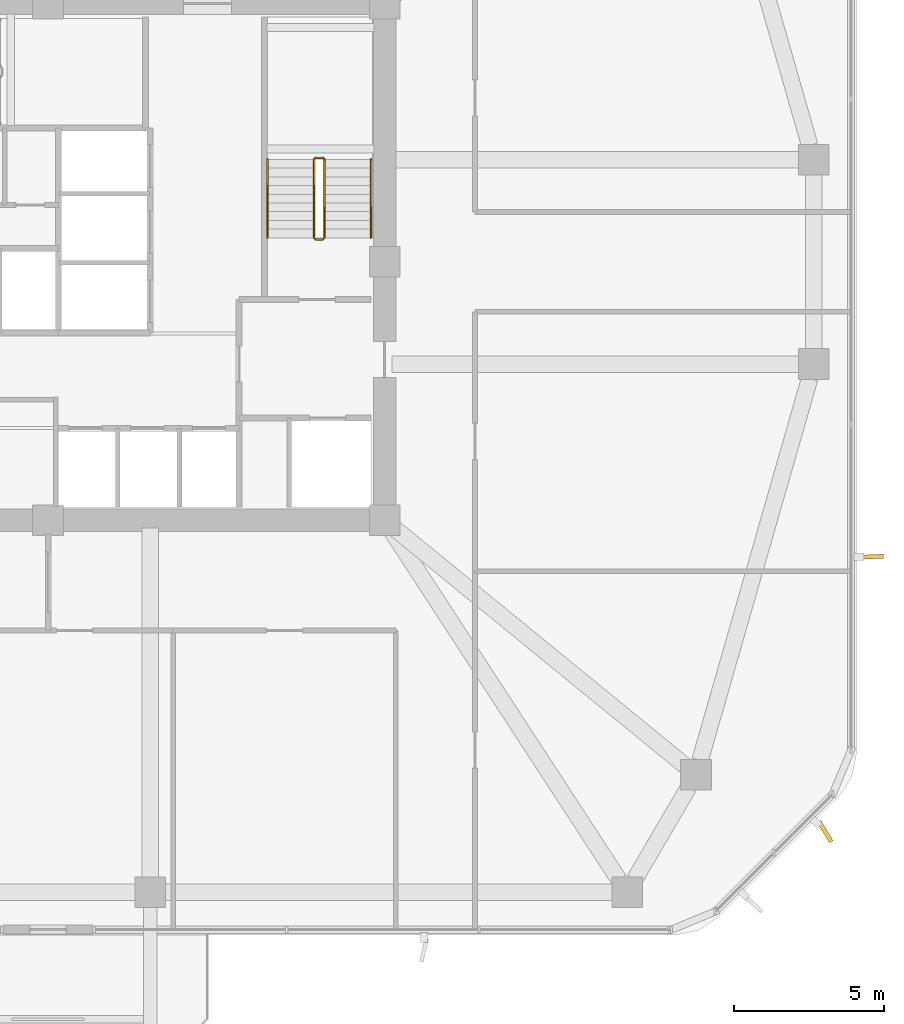
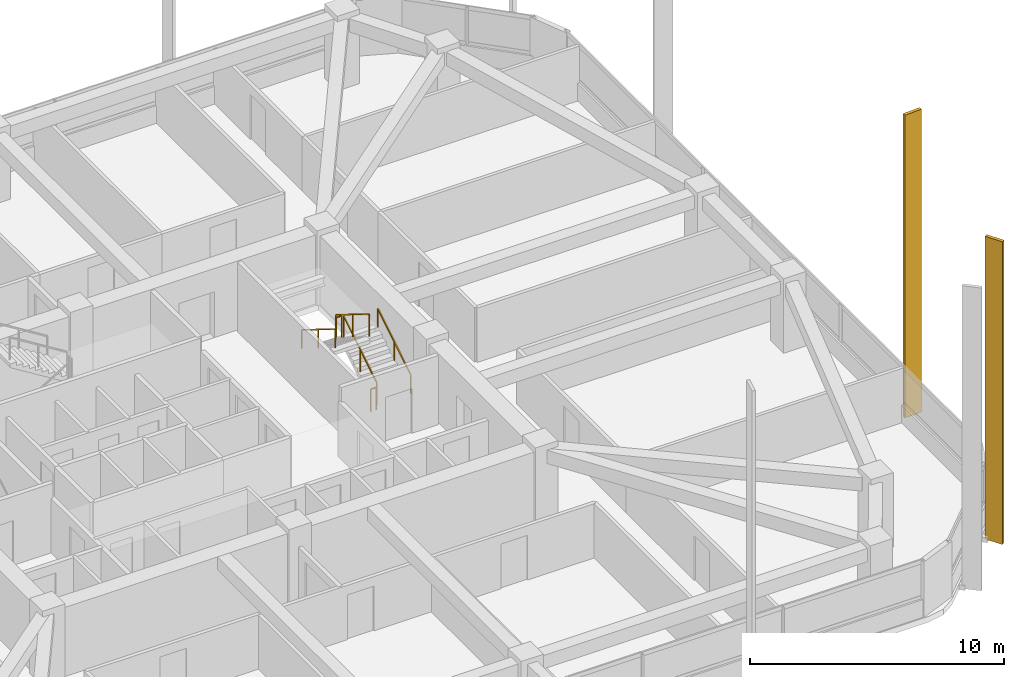
# One storey, part 14 of 15: 6 railings, 2 shading devices.
"""IFC4 building model written with IfcOpenShell, lengths in metres."""

from ifc_helpers import new_model, si_unit, derived_unit, direction, frame, origin, origin_2d, place, context, subcontext, project, spatial, rectangle, extrude, material, type_object, element, save


model = new_model("IFC4")

# Units and contexts
model_context = context("Model", 3, precision=1e-05, world=origin(), true_north=direction((0.0, 1.0)))
body_context = subcontext(model_context, "Body", "Model", "MODEL_VIEW")
ifc_project = project(units=[si_unit("LENGTHUNIT", "METRE"), si_unit("AREAUNIT", "SQUARE_METRE"), si_unit("VOLUMEUNIT", "CUBIC_METRE"), si_unit("PLANEANGLEUNIT", "RADIAN"), si_unit("MASSUNIT", "GRAM", prefix="KILO"), derived_unit("THERMALTRANSMITTANCEUNIT", [(si_unit("POWERUNIT", "WATT"), 1), (si_unit("LENGTHUNIT", "METRE"), -2), (si_unit("THERMODYNAMICTEMPERATUREUNIT", "KELVIN"), -1)])], contexts=[model_context])

# Site, building, storey
site_placement = place(None, origin())
site = spatial("IfcSite", under=ifc_project, at=site_placement, CompositionType="ELEMENT")
building_placement = place(site_placement, origin())
building = spatial("IfcBuilding", under=site, at=building_placement, Name="Koralith Skygarden Medical Center", CompositionType="ELEMENT")
storey_placement = place(building_placement, frame((0.0, 0.0, 84.780029296875)))
storey = spatial("IfcBuildingStorey", under=building, at=storey_placement, Name="L21", CompositionType="ELEMENT", Elevation=84.780029296875)

# Shading devices
ifc_material_1 = material(Name="Aluminium 6063-T6", Category="aluminium")
shading_device_type = type_object("IfcShadingDeviceType", Name="Limestone-Clad Solar Storm Fin 780", PredefinedType="USERDEFINED", material=ifc_material_1)
for number, where, z_axis, x_axis, name in (
    (1, (62.860107421875, 6.93798828125, -0.2001953125), (0.0, 0.0, 1.0), (0.518519577871, -0.855065756164, 0.0), "L21 SE Harmonic Solar Storm Fin 2"),
    (2, (64.409912109375, 16.090087890625, -0.2001953125), (0.0, 0.0, 1.0), (0.999025245578, 0.044142481788, 0.0), "L21 E Harmonic Solar Storm Fin 1"),
):
    element("IfcShadingDevice", number, at=place(storey_placement, frame(where, z_axis=z_axis, x_axis=x_axis)), inside=storey, type_object=shading_device_type, Name=name, ObjectType="SOLAR FIN", PredefinedType="USERDEFINED", context=body_context, shape_type="SweptSolid", body=[
        extrude(rectangle(XDim=0.780029296875, YDim=0.139892578125, at=origin_2d()), origin(), (0.0, 0.0, 1.0), 14.550048828125),
    ])

# Railings
ifc_material_2 = material(Name="Steel ASTM A500 Grade C", Category="steel")
railing_type_1 = type_object("IfcRailingType", Name="Stair Flight Tubular Handrail 920", PredefinedType="HANDRAIL", material=ifc_material_2)
railing_1_placement = place(storey_placement, frame((47.75, 26.699951171875, 0.179931640625)))
element("IfcRailing", 3, at=railing_1_placement, inside=storey, type_object=railing_type_1, Name="L21 ST2 stair handrail 1", PredefinedType="HANDRAIL", context=body_context, shape_type="SweptSolid", body=[
    extrude(rectangle(XDim=0.050048828125, YDim=0.050048828125, at=origin_2d()), frame((0.0, 0.001708984375, 0.89599609375), z_axis=(0.0, 0.849632798774, 0.527374731332), x_axis=(-1.0, 0.0, 0.0)), (0.0, 0.0, 1.0), 3.068115234375),
    extrude(rectangle(XDim=0.0419921875, YDim=0.0419921875, at=origin_2d()), origin(), (0.0, 0.0, 1.0), 0.867919921875),
    extrude(rectangle(XDim=0.0419921875, YDim=0.0419921875, at=origin_2d()), frame((0.0, 1.30517578125, 0.81005859375)), (0.0, 0.0, 1.0), 0.867919921875),
    extrude(rectangle(XDim=0.0419921875, YDim=0.0419921875, at=origin_2d()), frame((0.0, 2.610107421875, 1.6201171875)), (0.0, 0.0, 1.0), 0.867919921875),
])
railing_2_placement = place(storey_placement, frame((44.300048828125, 29.31005859375, 1.97998046875)))
element("IfcRailing", 4, at=railing_2_placement, inside=storey, type_object=railing_type_1, Name="L21 ST2 stair handrail 2", PredefinedType="HANDRAIL", context=body_context, shape_type="SweptSolid", body=[
    extrude(rectangle(XDim=0.050048828125, YDim=0.050048828125, at=origin_2d()), frame((0.0, -0.001708984375, 0.89599609375), z_axis=(0.0, -0.849668407637, 0.527317358963), x_axis=(1.0, 0.0, 0.0)), (0.0, 0.0, 1.0), 3.06787109375),
    extrude(rectangle(XDim=0.0419921875, YDim=0.0419921875, at=origin_2d()), origin(), (0.0, 0.0, 1.0), 0.867919921875),
    extrude(rectangle(XDim=0.0419921875, YDim=0.0419921875, at=origin_2d()), frame((0.0, -1.30517578125, 0.81005859375)), (0.0, 0.0, 1.0), 0.867919921875),
    extrude(rectangle(XDim=0.0419921875, YDim=0.0419921875, at=origin_2d()), frame((0.0, -2.610107421875, 1.619873046875)), (0.0, 0.0, 1.0), 0.867919921875),
])
railing_type_2 = type_object("IfcRailingType", Name="Stair Well Safety Guardrail 1100", PredefinedType="GUARDRAIL", material=ifc_material_2)
railing_3_placement = place(storey_placement, frame((46.199951171875, 26.699951171875, 0.179931640625)))
element("IfcRailing", 5, at=railing_3_placement, inside=storey, type_object=railing_type_2, Name="L21 ST2 stair guard 1", PredefinedType="GUARDRAIL", context=body_context, shape_type="SweptSolid", body=[
    extrude(rectangle(XDim=0.050048828125, YDim=0.050048828125, at=origin_2d()), frame((0.0, 0.001708984375, 1.076171875), z_axis=(0.0, 0.849632798774, 0.527374731332), x_axis=(-1.0, 0.0, 0.0)), (0.0, 0.0, 1.0), 3.068115234375),
    extrude(rectangle(XDim=0.0419921875, YDim=0.0419921875, at=origin_2d()), origin(), (0.0, 0.0, 1.0), 1.048095703125),
    extrude(rectangle(XDim=0.0419921875, YDim=0.0419921875, at=origin_2d()), frame((0.0, 1.30517578125, 0.81005859375)), (0.0, 0.0, 1.0), 1.048095703125),
    extrude(rectangle(XDim=0.0419921875, YDim=0.0419921875, at=origin_2d()), frame((0.0, 2.610107421875, 1.6201171875)), (0.0, 0.0, 1.0), 1.048095703125),
])
railing_4_placement = place(storey_placement, frame((46.14990234375, 29.360107421875, 1.800048828125)))
element("IfcRailing", 6, at=railing_4_placement, inside=storey, type_object=railing_type_2, Name="L21 ST2 stair guard 2", PredefinedType="GUARDRAIL", context=body_context, shape_type="SweptSolid", body=[
    extrude(rectangle(XDim=0.050048828125, YDim=0.050048828125, at=origin_2d()), frame((-0.001953125, 0.0, 1.0751953125), z_axis=(-1.0, 0.0, 0.0), x_axis=(0.0, -1.0, 0.0)), (0.0, 0.0, 1.0), 0.24609375),
    extrude(rectangle(XDim=0.0419921875, YDim=0.0419921875, at=origin_2d()), origin(), (0.0, 0.0, 1.0), 1.048095703125),
    extrude(rectangle(XDim=0.0419921875, YDim=0.0419921875, at=origin_2d()), frame((-0.25, 0.0, 0.0)), (0.0, 0.0, 1.0), 1.048095703125),
])
railing_5_placement = place(storey_placement, frame((45.85009765625, 29.31005859375, 1.97998046875)))
element("IfcRailing", 7, at=railing_5_placement, inside=storey, type_object=railing_type_2, Name="L21 ST2 stair guard 3", PredefinedType="GUARDRAIL", context=body_context, shape_type="SweptSolid", body=[
    extrude(rectangle(XDim=0.050048828125, YDim=0.050048828125, at=origin_2d()), frame((0.0, -0.001708984375, 1.076171875), z_axis=(0.0, -0.849668407637, 0.527317358963), x_axis=(1.0, 0.0, 0.0)), (0.0, 0.0, 1.0), 3.06787109375),
    extrude(rectangle(XDim=0.0419921875, YDim=0.0419921875, at=origin_2d()), origin(), (0.0, 0.0, 1.0), 1.048095703125),
    extrude(rectangle(XDim=0.0419921875, YDim=0.0419921875, at=origin_2d()), frame((0.0, -1.30517578125, 0.81005859375)), (0.0, 0.0, 1.0), 1.048095703125),
    extrude(rectangle(XDim=0.0419921875, YDim=0.0419921875, at=origin_2d()), frame((0.0, -2.610107421875, 1.619873046875)), (0.0, 0.0, 1.0), 1.048095703125),
])
railing_6_placement = place(storey_placement, frame((46.14990234375, 26.64990234375, 0.0)))
element("IfcRailing", 8, at=railing_6_placement, inside=storey, type_object=railing_type_2, Name="L21 ST2 stair guard 4", PredefinedType="GUARDRAIL", context=body_context, shape_type="SweptSolid", body=[
    extrude(rectangle(XDim=0.050048828125, YDim=0.050048828125, at=origin_2d()), frame((-0.001953125, 0.0, 1.0751953125), z_axis=(-1.0, 0.0, 0.0), x_axis=(0.0, -1.0, 0.0)), (0.0, 0.0, 1.0), 0.24609375),
    extrude(rectangle(XDim=0.0419921875, YDim=0.0419921875, at=origin_2d()), origin(), (0.0, 0.0, 1.0), 1.048095703125),
    extrude(rectangle(XDim=0.0419921875, YDim=0.0419921875, at=origin_2d()), frame((-0.25, 0.0, 0.0)), (0.0, 0.0, 1.0), 1.048095703125),
])

save(model, "model.ifc")
